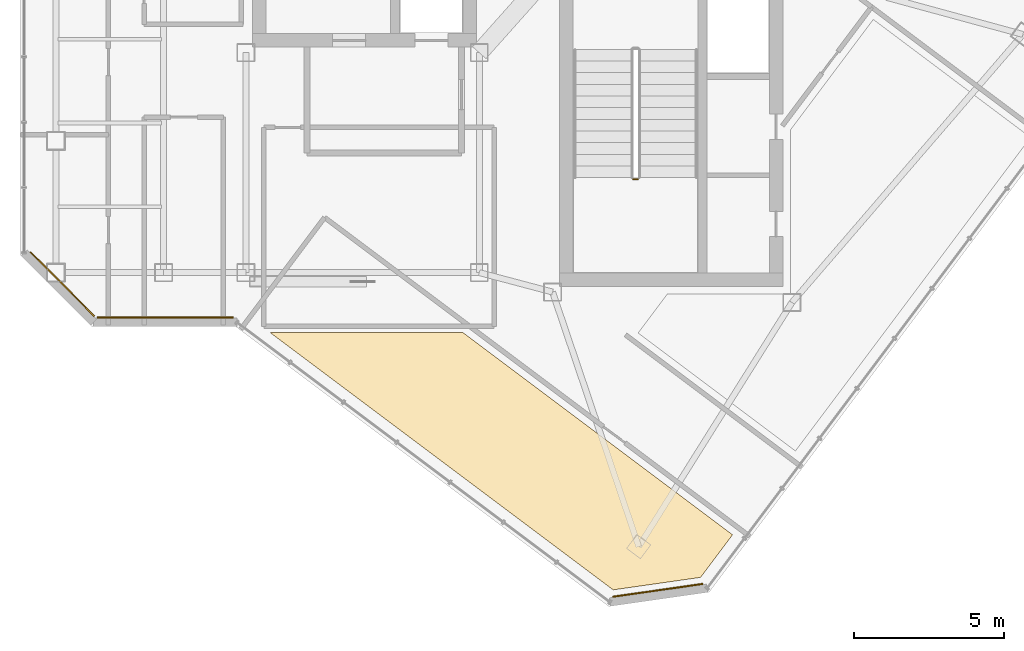
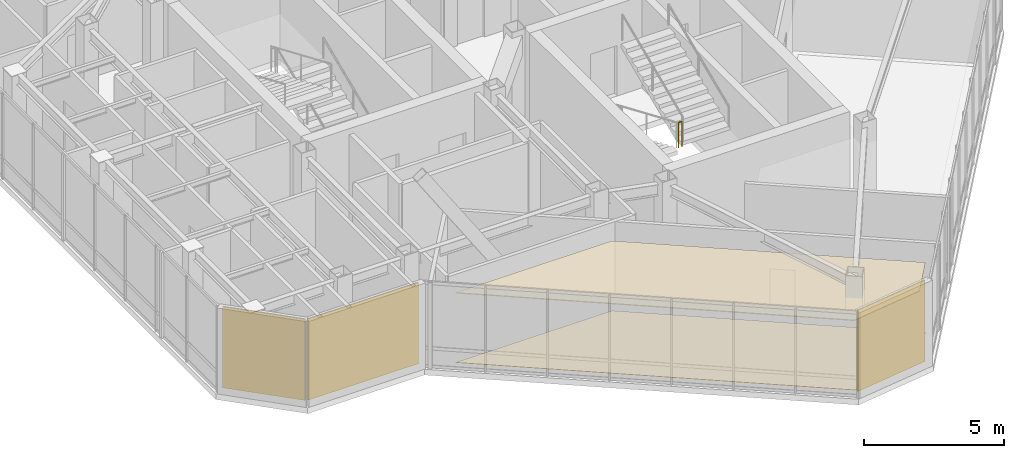
# One storey, part 29 of 31: 5 coverings, 1 railing.
"""IFC4 building model written with IfcOpenShell, lengths in metres."""

import ifcopenshell
import ifcopenshell.guid

model = None  # the IFC model being written
_history = None  # IfcOwnerHistory: only IFC2X3 demands one
_inside = {}  # id of a spatial element -> (the spatial element, [elements in it])
_under = {}  # id of a project, library or spatial element -> (it, [spatial elements below it])
_declared = {}  # id of a project -> (the project, [libraries it declares])
_typed = {}  # id of a type object -> (the type object, [elements of that type])
_made_of = {}  # id of a material, layer set ... -> (it, [elements and type objects made of it])


def new_model(schema):
    """Start an empty IFC model of exactly this schema.

    Asked for "IFC4X3", IfcOpenShell would pick the latest addendum, in which some entities
    have other attributes; the version numbers below select the first issue.
    IFC2X3 requires an IfcOwnerHistory on every rooted entity: one is made here for all.
    """
    global model, _history
    if schema == "IFC4X3":
        model = ifcopenshell.file(schema_version=(4, 3, 0, 0))
    else:
        model = ifcopenshell.file(schema=schema)
    _inside.clear()
    _under.clear()
    _declared.clear()
    _typed.clear()
    _made_of.clear()
    _history = None
    if model.schema == "IFC2X3":
        org = make("IfcOrganization", Name="unknown")
        user = make(
            "IfcPersonAndOrganization",
            ThePerson=make("IfcPerson", FamilyName="unknown"),
            TheOrganization=org,
        )
        app = make(
            "IfcApplication",
            ApplicationDeveloper=org,
            Version="unknown",
            ApplicationFullName="unknown",
            ApplicationIdentifier="unknown",
        )
        _history = make(
            "IfcOwnerHistory",
            OwningUser=user,
            OwningApplication=app,
            ChangeAction="ADDED",
            CreationDate=0,
        )
    return model


def make(cls, **values):
    """One entity of the class cls with the attributes given. An attribute that is None is left unset."""
    return model.create_entity(
        cls, **{name: value for name, value in values.items() if value is not None}
    )


def rooted(cls, **values):
    """An entity with a GlobalId (a new one), such as an element, a storey or a relation."""
    return make(cls, GlobalId=ifcopenshell.guid.new(), OwnerHistory=_history, **values)


def si_unit(unit_type, name, prefix=None):
    """IfcSIUnit, for example si_unit("LENGTHUNIT", "METRE", prefix="MILLI")."""
    return make("IfcSIUnit", UnitType=unit_type, Prefix=prefix, Name=name)


def assignment(units):
    """IfcUnitAssignment: the units of a project."""
    return None if units is None else make("IfcUnitAssignment", Units=units)


def point(xyz):
    """IfcCartesianPoint."""
    return None if xyz is None else make("IfcCartesianPoint", Coordinates=xyz)


def direction(xyz):
    """IfcDirection."""
    return None if xyz is None else make("IfcDirection", DirectionRatios=xyz)


def frame(location, z_axis=None, x_axis=None):
    """IfcAxis2Placement3D, a coordinate frame: its origin and axes. An axis left out is left unset."""
    return make(
        "IfcAxis2Placement3D",
        Location=point(location),
        Axis=direction(z_axis),
        RefDirection=direction(x_axis),
    )


def frame_2d(location, x_axis=None):
    """IfcAxis2Placement2D, a coordinate frame in the plane: its origin and x axis."""
    return make(
        "IfcAxis2Placement2D", Location=point(location), RefDirection=direction(x_axis)
    )


def origin():
    """The frame at (0, 0, 0) with its axes left unset."""
    return frame((0.0, 0.0, 0.0))


def origin_2d():
    """The frame at (0, 0) in the plane with its x axis left unset."""
    return frame_2d((0.0, 0.0))


def place(relative_to, where):
    """IfcLocalPlacement: puts the frame where relative to a parent placement (None: the world)."""
    return make(
        "IfcLocalPlacement", PlacementRelTo=relative_to, RelativePlacement=where
    )


def context(
    kind, dimensions, precision=None, world=None, true_north=None, identifier=None
):
    """IfcGeometricRepresentationContext, for example the 3D "Model" context."""
    return make(
        "IfcGeometricRepresentationContext",
        ContextIdentifier=identifier,
        ContextType=kind,
        CoordinateSpaceDimension=dimensions,
        Precision=precision,
        WorldCoordinateSystem=world,
        TrueNorth=true_north,
    )


def subcontext(parent, identifier, kind, view, scale=None):
    """IfcGeometricRepresentationSubContext, for example "Body" below "Model"."""
    return make(
        "IfcGeometricRepresentationSubContext",
        ContextIdentifier=identifier,
        ContextType=kind,
        ParentContext=parent,
        TargetScale=scale,
        TargetView=view,
    )


def project(units=None, contexts=None):
    """IfcProject with its units and contexts."""
    return rooted(
        "IfcProject",
        Name="project",
        RepresentationContexts=contexts,
        UnitsInContext=assignment(units),
    )


def spatial(cls, under=None, at=None, **own):
    """A site, building, storey or space (cls), placed at a placement, below another one or the project."""
    s = rooted(cls, ObjectPlacement=at, **own)
    if under is not None:
        _under.setdefault(under.id(), (under, []))[1].append(s)
    return s


def polyline(points):
    """IfcPolyline through the points."""
    return make("IfcPolyline", Points=[point(p) for p in points])


def profile(cls, at=None, kind="AREA", **sizes):
    """A parametric profile (cls). Its sizes go by their IFC names, for example OverallWidth=200.0."""
    return make(cls, ProfileType=kind, Position=at, **sizes)


def rectangle(**sizes):
    """IfcRectangleProfileDef."""
    return profile("IfcRectangleProfileDef", **sizes)


def circle(**sizes):
    """IfcCircleProfileDef."""
    return profile("IfcCircleProfileDef", **sizes)


def outline(outer, holes=None, kind="AREA"):
    """IfcArbitraryClosedProfileDef: a profile drawn as a closed curve; with holes, ...WithVoids."""
    if holes is None:
        return make("IfcArbitraryClosedProfileDef", ProfileType=kind, OuterCurve=outer)
    return make(
        "IfcArbitraryProfileDefWithVoids",
        ProfileType=kind,
        OuterCurve=outer,
        InnerCurves=holes,
    )


def extrude(swept, where, along, depth):
    """IfcExtrudedAreaSolid: the profile swept, set in the frame where, extruded along a direction by depth."""
    return make(
        "IfcExtrudedAreaSolid",
        SweptArea=swept,
        Position=where,
        ExtrudedDirection=direction(along),
        Depth=depth,
    )


def shape(context_of_items, identifier, shape_type, items):
    """IfcShapeRepresentation: the items that make up one representation, for example the "Body"."""
    return make(
        "IfcShapeRepresentation",
        ContextOfItems=context_of_items,
        RepresentationIdentifier=identifier,
        RepresentationType=shape_type,
        Items=items,
    )


def material(Name=None, Category=None):
    """IfcMaterial."""
    return make("IfcMaterial", Name=Name, Category=Category)


def layer(
    of_material, thickness, ventilated=None, Name=None, Category=None, Priority=None
):
    """IfcMaterialLayer: one layer of a wall or slab, of a material (None: an air gap)."""
    return make(
        "IfcMaterialLayer",
        Material=of_material,
        LayerThickness=thickness,
        IsVentilated=ventilated,
        Name=Name,
        Category=Category,
        Priority=Priority,
    )


def layer_set(layers, Name=None):
    """IfcMaterialLayerSet."""
    return make("IfcMaterialLayerSet", MaterialLayers=layers, LayerSetName=Name)


def made_of(thing, what):
    """Note that an element or type object is made of a material, layer set ...; save() writes the relation."""
    if what is not None:
        _made_of.setdefault(what.id(), (what, []))[1].append(thing)
    return thing


def type_object(cls, material=None, **own):
    """A type object (cls), such as IfcWallType, which elements share."""
    return made_of(rooted(cls, **own), material)


def element(
    cls,
    number,
    at=None,
    inside=None,
    cuts=None,
    type_object=None,
    material=None,
    context=None,
    identifier="Body",
    shape_type=None,
    held_by="IfcProductDefinitionShape",
    body=None,
    shapes=None,
    **own,
):
    """One element of the class cls, such as IfcWall. Its Tag is "e" and its number.

    at: its placement. inside: the storey or other place that contains it. cuts: it is an
    opening in that element (IfcRelVoidsElement). A single representation is given by context,
    identifier, shape_type and body (its items); several are given by shapes. held_by: the class
    of the entity that holds the representations. save() writes the other relations.
    """
    e = rooted(cls, Tag="e%d" % number, ObjectPlacement=at, **own)
    if body is not None:
        shapes = [shape(context, identifier, shape_type, body)]
    if shapes is not None:
        e.Representation = make(held_by, Representations=shapes)
    if inside is not None:
        _inside.setdefault(inside.id(), (inside, []))[1].append(e)
    if cuts is not None:
        rooted(
            "IfcRelVoidsElement", RelatingBuildingElement=cuts, RelatedOpeningElement=e
        )
    if type_object is not None:
        _typed.setdefault(type_object.id(), (type_object, []))[1].append(e)
    return made_of(e, material)


def aggregate(whole, parts):
    """IfcRelAggregates: a whole, such as a stair, and the parts it consists of."""
    return rooted("IfcRelAggregates", RelatingObject=whole, RelatedObjects=parts)


def save(model, path):
    """Write the relations noted so far, then the file.

    IfcRelAggregates (storeys below a building ...), IfcRelContainedInSpatialStructure (elements
    in a storey), IfcRelDefinesByType, IfcRelAssociatesMaterial and IfcRelDeclares: one each for
    every whole, place, type object, material and project.
    """
    for whole, parts in _under.values():
        aggregate(whole, parts)
    for where, things in _inside.values():
        rooted(
            "IfcRelContainedInSpatialStructure",
            RelatedElements=things,
            RelatingStructure=where,
        )
    for kind, things in _typed.values():
        rooted("IfcRelDefinesByType", RelatedObjects=things, RelatingType=kind)
    for what, things in _made_of.values():
        rooted("IfcRelAssociatesMaterial", RelatedObjects=things, RelatingMaterial=what)
    for by, libraries in _declared.values():
        rooted("IfcRelDeclares", RelatingContext=by, RelatedDefinitions=libraries)
    model.write(path)


model = new_model("IFC4")

# Units and contexts
model_context = context("Model", 3, precision=1e-05, world=origin(), true_north=direction((0.0, 1.0)))
body_context = subcontext(model_context, "Body", "Model", "MODEL_VIEW")
ifc_project = project(units=[si_unit("LENGTHUNIT", "METRE"), si_unit("AREAUNIT", "SQUARE_METRE"), si_unit("VOLUMEUNIT", "CUBIC_METRE"), si_unit("PLANEANGLEUNIT", "RADIAN"), si_unit("MASSUNIT", "GRAM", prefix="KILO")], contexts=[model_context])

# Site, building, storey
site_placement = place(None, origin())
site = spatial("IfcSite", under=ifc_project, at=site_placement, CompositionType="ELEMENT")
building_placement = place(site_placement, origin())
building = spatial("IfcBuilding", under=site, at=building_placement, Name="Hatsunagi Terrace Concourse", CompositionType="ELEMENT")
storey_placement = place(building_placement, frame((0.0, 0.0, 269.949951171875)))
storey = spatial("IfcBuildingStorey", under=building, at=storey_placement, Name="L71", CompositionType="ELEMENT", Elevation=269.949951171875)

# Covering
ifc_material_1 = material(Name="Hardwood timber", Category="wood")
ifc_layer_1 = layer(ifc_material_1, 0.014892578125)
ifc_layer_set_1 = layer_set([ifc_layer_1], Name="HardwoodTimberFlooring_15")
covering_type_1 = type_object("IfcCoveringType", Name="HardwoodTimberFlooring_15", PredefinedType="FLOORING", material=ifc_layer_set_1)
covering_1_placement = place(storey_placement, origin())
element("IfcCovering", 1, at=covering_1_placement, inside=storey, type_object=covering_type_1, Name="Finished Flooring L71-2", PredefinedType="FLOORING", context=body_context, shape_type="SweptSolid", body=[
    extrude(outline(polyline([(26.361083984375, 23.19189453125), (37.822021484375, 14.595947265625), (40.748046875, 15.013916015625), (41.81591796875, 16.43798828125), (32.81103515625, 23.19189453125), (26.361083984375, 23.19189453125)])), origin(), (0.0, 0.0, 1.0), 0.01513671875),
])

# Railing
ifc_material_2 = material(Name="Stainless steel", Category="steel")
ifc_layer_2 = layer(ifc_material_2, 0.06005859375)
ifc_layer_set_2 = layer_set([ifc_layer_2], Name="StairWellGuard_Tower2000")
railing_type = type_object("IfcRailingType", Name="StairWellGuard_Tower2000", PredefinedType="BALUSTRADE", material=ifc_layer_set_2)
railing_placement = place(storey_placement, frame((38.5, 28.320068359375, 2.0)))
element("IfcRailing", 2, at=railing_placement, inside=storey, type_object=railing_type, Name="L71 ST-B stair guard 2", PredefinedType="BALUSTRADE", context=body_context, shape_type="SweptSolid", body=[
    extrude(circle(Radius=0.02392578125, at=origin_2d()), frame((0.0, 0.0, 1.09619140625), z_axis=(1.0, 0.0, 0.0), x_axis=(0.0, 1.0, 0.0)), (0.0, 0.0, 1.0), 0.14990234375),
    extrude(circle(Radius=0.02099609375, at=origin_2d()), origin(), (0.0, 0.0, 1.0), 1.072021484375),
    extrude(circle(Radius=0.02099609375, at=origin_2d()), frame((0.14990234375, 0.0, 0.0)), (0.0, 0.0, 1.0), 1.072021484375),
])

# Coverings
ifc_material_3 = material(Name="Unglazed Warm Terracotta Rainscreen Tile", Category="masonry")
ifc_layer_3 = layer(ifc_material_3, 0.044921875)
ifc_layer_set_3 = layer_set([ifc_layer_3], Name="TerracottaRainscreenCladding_45")
covering_type_2 = type_object("IfcCoveringType", Name="TerracottaRainscreenCladding_45", PredefinedType="CLADDING", material=ifc_layer_set_3)
covering_2_placement = place(storey_placement, frame((39.318115234375, 14.5791015625, 0.10009765625), z_axis=(0.0, 0.0, 1.0), x_axis=(-0.989973920543, -0.141250262458, 0.0)))
element("IfcCovering", 3, at=covering_2_placement, inside=storey, type_object=covering_type_2, Name="Terracotta Rainscreen Cladding L71-04", PredefinedType="CLADDING", context=body_context, shape_type="SweptSolid", body=[
    extrude(rectangle(XDim=3.0380859375, YDim=0.044921875, at=origin_2d()), origin(), (0.0, 0.0, 1.0), 3.5400390625),
])
covering_3_placement = place(storey_placement, frame((22.85205078125, 23.701904296875, 0.10009765625), z_axis=(0.0, 0.0, 1.0), x_axis=(-1.0, 0.0, 0.0)))
element("IfcCovering", 4, at=covering_3_placement, inside=storey, type_object=covering_type_2, Name="Terracotta Rainscreen Cladding L71-06", PredefinedType="CLADDING", context=body_context, shape_type="SweptSolid", body=[
    extrude(rectangle(XDim=4.549072265625, YDim=0.044921875, at=origin_2d()), origin(), (0.0, 0.0, 1.0), 3.5400390625),
])
covering_4_placement = place(storey_placement, frame((19.4140625, 24.81396484375, 0.10009765625), z_axis=(0.0, 0.0, 1.0), x_axis=(-0.707106781187, 0.707106781187, 0.0)))
element("IfcCovering", 5, at=covering_4_placement, inside=storey, type_object=covering_type_2, Name="Terracotta Rainscreen Cladding L71-07", PredefinedType="CLADDING", context=body_context, shape_type="SweptSolid", body=[
    extrude(rectangle(XDim=3.0380859375, YDim=0.044921875, at=origin_2d()), origin(), (0.0, 0.0, 1.0), 3.5400390625),
])
ifc_material_4 = material(Name="Hardwood timber", Category="wood")
ifc_layer_4 = layer(ifc_material_4, 0.034912109375)
ifc_layer_set_4 = layer_set([ifc_layer_4], Name="TimberBaffleCeiling_35")
covering_type_3 = type_object("IfcCoveringType", Name="TimberBaffleCeiling_35", PredefinedType="CEILING", material=ifc_layer_set_4)
covering_5_placement = place(storey_placement, frame((0.0, 0.0, 3.02001953125)))
element("IfcCovering", 6, at=covering_5_placement, inside=storey, type_object=covering_type_3, Name="Suspended Ceiling L71-2", PredefinedType="CEILING", context=body_context, shape_type="SweptSolid", body=[
    extrude(outline(polyline([(26.361083984375, 23.19189453125), (37.822021484375, 14.595947265625), (40.748046875, 15.013916015625), (41.81591796875, 16.43798828125), (32.81103515625, 23.19189453125), (26.361083984375, 23.19189453125)])), origin(), (0.0, 0.0, 1.0), 0.034912109375),
])

save(model, "model.ifc")
